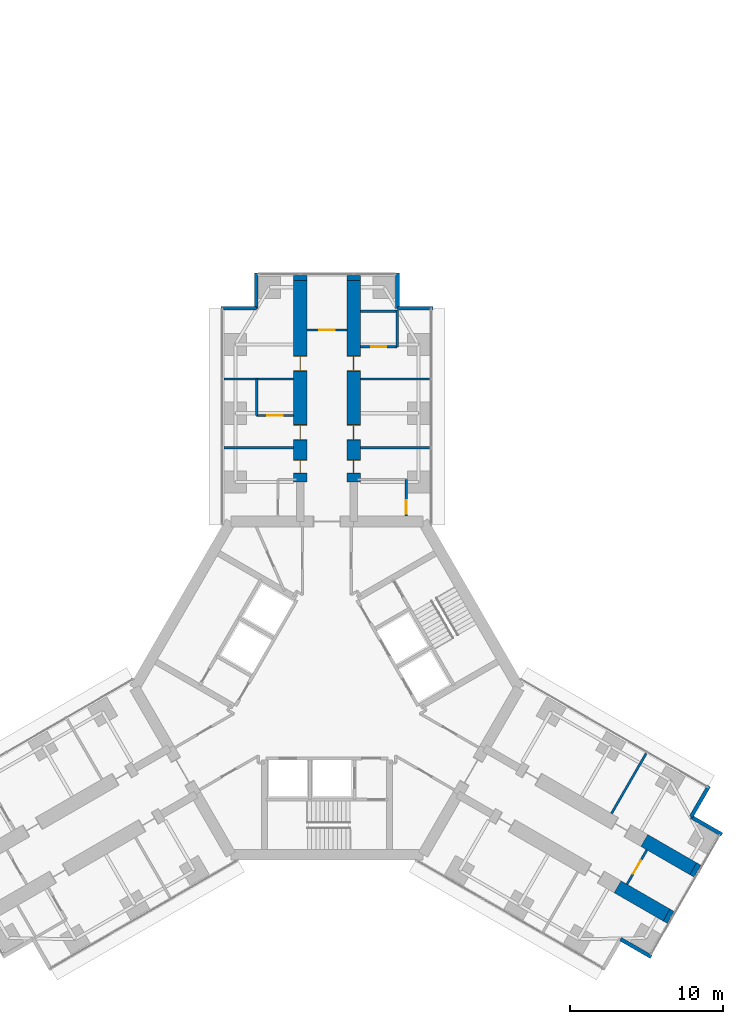
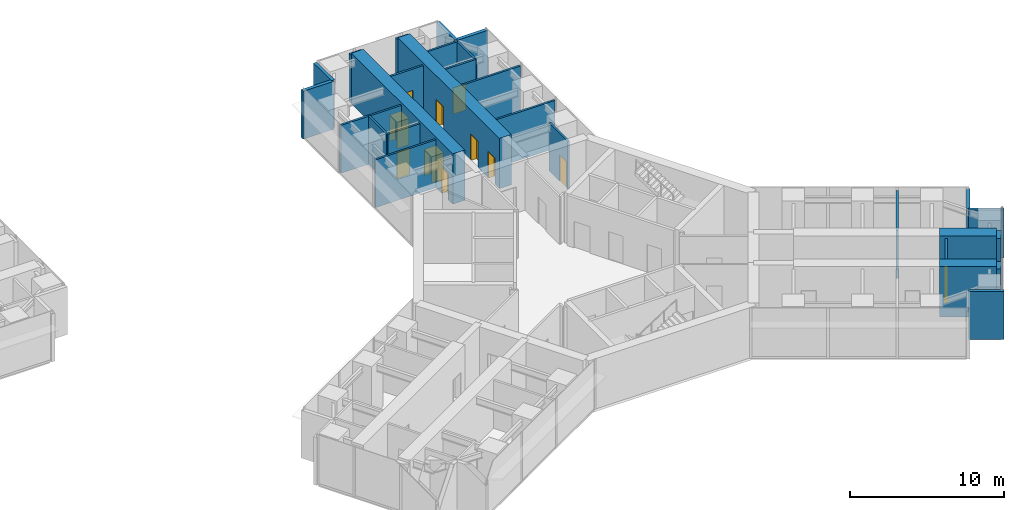
# One storey, part 22 of 24: 28 walls, 11 doors, 11 openings.
"""IFC4 building model written with IfcOpenShell, lengths in metres."""

from ifc_helpers import new_model, si_unit, direction, frame, frame_2d, origin, place, context, subcontext, project, spatial, rectangle, extrude, material, layer, layer_set, type_object, element, fill, save


model = new_model("IFC4")

# Units and contexts
model_context = context("Model", 3, precision=1e-05, world=origin(), true_north=direction((0.0, 1.0)))
body_context = subcontext(model_context, "Body", "Model", "MODEL_VIEW")
ifc_project = project(units=[si_unit("LENGTHUNIT", "METRE"), si_unit("AREAUNIT", "SQUARE_METRE"), si_unit("VOLUMEUNIT", "CUBIC_METRE"), si_unit("PLANEANGLEUNIT", "RADIAN"), si_unit("MASSUNIT", "GRAM", prefix="KILO")], contexts=[model_context])

# Site, building, storey
site_placement = place(None, origin())
site = spatial("IfcSite", under=ifc_project, at=site_placement, CompositionType="ELEMENT")
building_placement = place(site_placement, origin())
building = spatial("IfcBuilding", under=site, at=building_placement, Name="Upepo Twin Towers", CompositionType="ELEMENT")
storey_placement = place(building_placement, frame((0.0, 0.0, 48.5)))
storey = spatial("IfcBuildingStorey", under=building, at=storey_placement, Name="L11", CompositionType="ELEMENT", Elevation=48.5)

# Walls
ifc_material_1 = material(Name="Dense concrete blockwork", Category="masonry")
ifc_layer_1 = layer(ifc_material_1, 0.89990234375)
ifc_layer_set_1 = layer_set([ifc_layer_1], Name="Buttress closer 900, blockwork with fire-stopping to the curtain wall")
wall_type_1 = type_object("IfcWallType", Name="Buttress closer 900, blockwork with fire-stopping to the curtain wall", PredefinedType="PARTITIONING", material=ifc_layer_set_1)
for number, where, z_axis, x_axis, name in (
    (1, (56.75, 8.699951171875, 0.0), (0.0, 0.0, 1.0), (0.0, 1.0, 0.0), "T2 L11 wing A buttress closer L"),
    (2, (60.25, 8.699951171875, 0.0), (0.0, 0.0, 1.0), (0.0, 1.0, 0.0), "T2 L11 wing A buttress closer R"),
    (3, (82.497802734375, -29.83447265625, 0.0), (0.0, 0.0, 1.0), (0.866054481515, -0.499949632511, 0.0), "T2 L11 wing C buttress closer L"),
    (4, (80.747802734375, -32.865478515625, 0.0), (0.0, 0.0, 1.0), (0.866054481515, -0.499949632511, 0.0), "T2 L11 wing C buttress closer R"),
):
    element("IfcWall", number, at=place(storey_placement, frame(where, z_axis=z_axis, x_axis=x_axis)), inside=storey, type_object=wall_type_1, Name=name, PredefinedType="PARTITIONING", context=body_context, shape_type="SweptSolid", body=[
        extrude(rectangle(XDim=0.31005859375, YDim=0.89990234375, at=frame_2d((0.155029296875, 0.0))), origin(), (0.0, 0.0, 1.0), 3.800048828125),
    ])

# Wall, openings, doors
ifc_material_2 = material(Name="Concrete C60/75", Category="concrete")
ifc_layer_2 = layer(ifc_material_2, 0.89990234375)
ifc_layer_set_2 = layer_set([ifc_layer_2], Name="Concrete C60/75")
wall_type_2 = type_object("IfcWallType", Name="Buttress wall 900 RC", PredefinedType="SHEAR", material=ifc_layer_set_2)
wall_1_placement = place(storey_placement, frame((56.75, -4.5, 0.0), z_axis=(0.0, 0.0, 1.0), x_axis=(0.0, 1.0, 0.0)))
wall_1 = element("IfcWall", 5, at=wall_1_placement, inside=storey, type_object=wall_type_2, Name="T2 wing A buttress wall L part 2", PredefinedType="SHEAR", context=body_context, shape_type="SweptSolid", body=[
    extrude(rectangle(XDim=13.199951171875, YDim=0.89990234375, at=frame_2d((6.60009765625, 0.0))), origin(), (0.0, 0.0, 1.0), 4.0),
])
opening_1_placement = place(wall_1_placement, frame((0.550048828125, 0.0, 0.0)))
opening_1 = element("IfcOpeningElement", 6, at=opening_1_placement, cuts=wall_1, Name="Opening D11", PredefinedType="OPENING", context=body_context, shape_type="SweptSolid", body=[
    extrude(rectangle(XDim=0.89990234375, YDim=2.10009765625, at=frame_2d((0.449951171875, 1.050048828125))), frame((0.0, 0.4599609375, 0.0), z_axis=(0.0, -1.0, 0.0), x_axis=(1.0, 0.0, 0.0)), (0.0, 0.0, 1.0), 0.919921875),
])
opening_2_placement = place(wall_1_placement, frame((2.75, 0.0, 0.0)))
opening_2 = element("IfcOpeningElement", 7, at=opening_2_placement, cuts=wall_1, Name="Opening D1", PredefinedType="OPENING", context=body_context, shape_type="SweptSolid", body=[
    extrude(rectangle(XDim=1.0, YDim=2.10009765625, at=frame_2d((0.5, 1.050048828125))), frame((0.0, 0.4599609375, 0.0), z_axis=(0.0, -1.0, 0.0), x_axis=(1.0, 0.0, 0.0)), (0.0, 0.0, 1.0), 0.919921875),
])
opening_3_placement = place(wall_1_placement, frame((7.25, 0.0, 0.0)))
opening_3 = element("IfcOpeningElement", 8, at=opening_3_placement, cuts=wall_1, Name="Opening D1", PredefinedType="OPENING", context=body_context, shape_type="SweptSolid", body=[
    extrude(rectangle(XDim=1.0, YDim=2.10009765625, at=frame_2d((0.5, 1.050048828125))), frame((0.0, 0.4599609375, 0.0), z_axis=(0.0, -1.0, 0.0), x_axis=(1.0, 0.0, 0.0)), (0.0, 0.0, 1.0), 0.919921875),
])
ifc_material_3 = material(Name="Timber doorset", Category="wood")
door_type_1 = type_object("IfcDoorType", Name="Room door 1000 FD30", OperationType="SINGLE_SWING_LEFT", PredefinedType="DOOR", material=ifc_material_3)
door_1_placement = place(opening_2_placement, origin())
door_1 = element("IfcDoor", 9, at=door_1_placement, inside=storey, type_object=door_type_1, Name="T2 L11 tutorial room door", OperationType="SINGLE_SWING_LEFT", OverallHeight=2.10009765625, OverallWidth=1.0, PredefinedType="DOOR", context=body_context, shape_type="SweptSolid", body=[
    extrude(rectangle(XDim=0.92, YDim=2.06009765625, at=frame_2d((0.5, 1.030029296875))), frame((0.0, 0.02490234375, 0.0), z_axis=(0.0, -1.0, 0.0), x_axis=(1.0, 0.0, 0.0)), (0.0, 0.0, 1.0), 0.050048828125),
    extrude(rectangle(XDim=0.04, YDim=2.10009765625, at=frame_2d((0.02001953125, 1.050048828125))), frame((0.0, 0.44970703125, 0.0), z_axis=(0.0, -1.0, 0.0), x_axis=(1.0, 0.0, 0.0)), (0.0, 0.0, 1.0), 0.8994140625),
    extrude(rectangle(XDim=0.04, YDim=2.10009765625, at=frame_2d((0.97998046875, 1.050048828125))), frame((0.0, 0.44970703125, 0.0), z_axis=(0.0, -1.0, 0.0), x_axis=(1.0, 0.0, 0.0)), (0.0, 0.0, 1.0), 0.8994140625),
    extrude(rectangle(XDim=0.92, YDim=0.04, at=frame_2d((0.5, 2.080078125))), frame((0.0, 0.44970703125, 0.0), z_axis=(0.0, -1.0, 0.0), x_axis=(1.0, 0.0, 0.0)), (0.0, 0.0, 1.0), 0.8994140625),
])
fill(opening_2, door_1)
door_2_placement = place(opening_3_placement, origin())
door_2 = element("IfcDoor", 10, at=door_2_placement, inside=storey, type_object=door_type_1, Name="T2 L11 staff office door", OperationType="SINGLE_SWING_RIGHT", OverallHeight=2.10009765625, OverallWidth=1.0, PredefinedType="DOOR", context=body_context, shape_type="SweptSolid", body=[
    extrude(rectangle(XDim=0.92, YDim=2.06009765625, at=frame_2d((0.5, 1.030029296875))), frame((0.0, 0.02490234375, 0.0), z_axis=(0.0, -1.0, 0.0), x_axis=(1.0, 0.0, 0.0)), (0.0, 0.0, 1.0), 0.050048828125),
    extrude(rectangle(XDim=0.04, YDim=2.10009765625, at=frame_2d((0.02001953125, 1.050048828125))), frame((0.0, 0.44970703125, 0.0), z_axis=(0.0, -1.0, 0.0), x_axis=(1.0, 0.0, 0.0)), (0.0, 0.0, 1.0), 0.8994140625),
    extrude(rectangle(XDim=0.04, YDim=2.10009765625, at=frame_2d((0.97998046875, 1.050048828125))), frame((0.0, 0.44970703125, 0.0), z_axis=(0.0, -1.0, 0.0), x_axis=(1.0, 0.0, 0.0)), (0.0, 0.0, 1.0), 0.8994140625),
    extrude(rectangle(XDim=0.92, YDim=0.04, at=frame_2d((0.5, 2.080078125))), frame((0.0, 0.44970703125, 0.0), z_axis=(0.0, -1.0, 0.0), x_axis=(1.0, 0.0, 0.0)), (0.0, 0.0, 1.0), 0.8994140625),
])
fill(opening_3, door_2)
ifc_material_4 = material(Name="Timber doorset", Category="wood")
door_type_2 = type_object("IfcDoorType", Name="Toilet door 900", OperationType="SINGLE_SWING_LEFT", PredefinedType="DOOR", material=ifc_material_4)
door_3_placement = place(opening_1_placement, origin())
door_3 = element("IfcDoor", 11, at=door_3_placement, inside=storey, type_object=door_type_2, Name="T2 L11 toilets door", OperationType="SINGLE_SWING_LEFT", OverallHeight=2.10009765625, OverallWidth=0.89990234375, PredefinedType="DOOR", context=body_context, shape_type="SweptSolid", body=[
    extrude(rectangle(XDim=0.81990234375, YDim=2.06009765625, at=frame_2d((0.449951171875, 1.030029296875))), frame((0.0, 0.02490234375, 0.0), z_axis=(0.0, -1.0, 0.0), x_axis=(1.0, 0.0, 0.0)), (0.0, 0.0, 1.0), 0.050048828125),
    extrude(rectangle(XDim=0.04, YDim=2.10009765625, at=frame_2d((0.02001953125, 1.050048828125))), frame((0.0, 0.44970703125, 0.0), z_axis=(0.0, -1.0, 0.0), x_axis=(1.0, 0.0, 0.0)), (0.0, 0.0, 1.0), 0.8994140625),
    extrude(rectangle(XDim=0.04, YDim=2.10009765625, at=frame_2d((0.8798828125, 1.050048828125))), frame((0.0, 0.44970703125, 0.0), z_axis=(0.0, -1.0, 0.0), x_axis=(1.0, 0.0, 0.0)), (0.0, 0.0, 1.0), 0.8994140625),
    extrude(rectangle(XDim=0.81990234375, YDim=0.04, at=frame_2d((0.449951171875, 2.080078125))), frame((0.0, 0.44970703125, 0.0), z_axis=(0.0, -1.0, 0.0), x_axis=(1.0, 0.0, 0.0)), (0.0, 0.0, 1.0), 0.8994140625),
])
fill(opening_1, door_3)

wall_2_placement = place(storey_placement, frame((60.25, -4.5, 0.0), z_axis=(0.0, 0.0, 1.0), x_axis=(0.0, 1.0, 0.0)))
wall_2 = element("IfcWall", 12, at=wall_2_placement, inside=storey, type_object=wall_type_2, Name="T2 wing A buttress wall R part 2", PredefinedType="SHEAR", context=body_context, shape_type="SweptSolid", body=[
    extrude(rectangle(XDim=13.199951171875, YDim=0.89990234375, at=frame_2d((6.60009765625, 0.0))), origin(), (0.0, 0.0, 1.0), 4.0),
])
opening_4_placement = place(wall_2_placement, frame((0.550048828125, 0.0, 0.0)))
opening_4 = element("IfcOpeningElement", 13, at=opening_4_placement, cuts=wall_2, Name="Opening D11", PredefinedType="OPENING", context=body_context, shape_type="SweptSolid", body=[
    extrude(rectangle(XDim=0.89990234375, YDim=2.10009765625, at=frame_2d((0.449951171875, 1.050048828125))), frame((0.0, 0.4599609375, 0.0), z_axis=(0.0, -1.0, 0.0), x_axis=(1.0, 0.0, 0.0)), (0.0, 0.0, 1.0), 0.919921875),
])
opening_5_placement = place(wall_2_placement, frame((2.75, 0.0, 0.0)))
opening_5 = element("IfcOpeningElement", 14, at=opening_5_placement, cuts=wall_2, Name="Opening D1", PredefinedType="OPENING", context=body_context, shape_type="SweptSolid", body=[
    extrude(rectangle(XDim=1.0, YDim=2.10009765625, at=frame_2d((0.5, 1.050048828125))), frame((0.0, 0.4599609375, 0.0), z_axis=(0.0, -1.0, 0.0), x_axis=(1.0, 0.0, 0.0)), (0.0, 0.0, 1.0), 0.919921875),
])
opening_6_placement = place(wall_2_placement, frame((7.25, 0.0, 0.0)))
opening_6 = element("IfcOpeningElement", 15, at=opening_6_placement, cuts=wall_2, Name="Opening D1", PredefinedType="OPENING", context=body_context, shape_type="SweptSolid", body=[
    extrude(rectangle(XDim=1.0, YDim=2.10009765625, at=frame_2d((0.5, 1.050048828125))), frame((0.0, 0.4599609375, 0.0), z_axis=(0.0, -1.0, 0.0), x_axis=(1.0, 0.0, 0.0)), (0.0, 0.0, 1.0), 0.919921875),
])
door_4_placement = place(opening_5_placement, origin())
door_4 = element("IfcDoor", 16, at=door_4_placement, inside=storey, type_object=door_type_1, Name="T2 L11 seminar room door", OperationType="SINGLE_SWING_LEFT", OverallHeight=2.10009765625, OverallWidth=1.0, PredefinedType="DOOR", context=body_context, shape_type="SweptSolid", body=[
    extrude(rectangle(XDim=0.92, YDim=2.06009765625, at=frame_2d((0.5, 1.030029296875))), frame((0.0, 0.02490234375, 0.0), z_axis=(0.0, -1.0, 0.0), x_axis=(1.0, 0.0, 0.0)), (0.0, 0.0, 1.0), 0.050048828125),
    extrude(rectangle(XDim=0.04, YDim=2.10009765625, at=frame_2d((0.02001953125, 1.050048828125))), frame((0.0, 0.44970703125, 0.0), z_axis=(0.0, -1.0, 0.0), x_axis=(1.0, 0.0, 0.0)), (0.0, 0.0, 1.0), 0.8994140625),
    extrude(rectangle(XDim=0.04, YDim=2.10009765625, at=frame_2d((0.97998046875, 1.050048828125))), frame((0.0, 0.44970703125, 0.0), z_axis=(0.0, -1.0, 0.0), x_axis=(1.0, 0.0, 0.0)), (0.0, 0.0, 1.0), 0.8994140625),
    extrude(rectangle(XDim=0.92, YDim=0.04, at=frame_2d((0.5, 2.080078125))), frame((0.0, 0.44970703125, 0.0), z_axis=(0.0, -1.0, 0.0), x_axis=(1.0, 0.0, 0.0)), (0.0, 0.0, 1.0), 0.8994140625),
])
fill(opening_5, door_4)
door_5_placement = place(opening_6_placement, origin())
door_5 = element("IfcDoor", 17, at=door_5_placement, inside=storey, type_object=door_type_1, Name="T2 L11 tutorial room door", OperationType="SINGLE_SWING_RIGHT", OverallHeight=2.10009765625, OverallWidth=1.0, PredefinedType="DOOR", context=body_context, shape_type="SweptSolid", body=[
    extrude(rectangle(XDim=0.92, YDim=2.06009765625, at=frame_2d((0.5, 1.030029296875))), frame((0.0, 0.02490234375, 0.0), z_axis=(0.0, -1.0, 0.0), x_axis=(1.0, 0.0, 0.0)), (0.0, 0.0, 1.0), 0.050048828125),
    extrude(rectangle(XDim=0.04, YDim=2.10009765625, at=frame_2d((0.02001953125, 1.050048828125))), frame((0.0, 0.44970703125, 0.0), z_axis=(0.0, -1.0, 0.0), x_axis=(1.0, 0.0, 0.0)), (0.0, 0.0, 1.0), 0.8994140625),
    extrude(rectangle(XDim=0.04, YDim=2.10009765625, at=frame_2d((0.97998046875, 1.050048828125))), frame((0.0, 0.44970703125, 0.0), z_axis=(0.0, -1.0, 0.0), x_axis=(1.0, 0.0, 0.0)), (0.0, 0.0, 1.0), 0.8994140625),
    extrude(rectangle(XDim=0.92, YDim=0.04, at=frame_2d((0.5, 2.080078125))), frame((0.0, 0.44970703125, 0.0), z_axis=(0.0, -1.0, 0.0), x_axis=(1.0, 0.0, 0.0)), (0.0, 0.0, 1.0), 0.8994140625),
])
fill(opening_6, door_5)
door_6_placement = place(opening_4_placement, origin())
door_6 = element("IfcDoor", 18, at=door_6_placement, inside=storey, type_object=door_type_2, Name="T2 L11 accessible wc door", OperationType="SINGLE_SWING_LEFT", OverallHeight=2.10009765625, OverallWidth=0.89990234375, PredefinedType="DOOR", context=body_context, shape_type="SweptSolid", body=[
    extrude(rectangle(XDim=0.81990234375, YDim=2.06009765625, at=frame_2d((0.449951171875, 1.030029296875))), frame((0.0, 0.02490234375, 0.0), z_axis=(0.0, -1.0, 0.0), x_axis=(1.0, 0.0, 0.0)), (0.0, 0.0, 1.0), 0.050048828125),
    extrude(rectangle(XDim=0.04, YDim=2.10009765625, at=frame_2d((0.02001953125, 1.050048828125))), frame((0.0, 0.44970703125, 0.0), z_axis=(0.0, -1.0, 0.0), x_axis=(1.0, 0.0, 0.0)), (0.0, 0.0, 1.0), 0.8994140625),
    extrude(rectangle(XDim=0.04, YDim=2.10009765625, at=frame_2d((0.8798828125, 1.050048828125))), frame((0.0, 0.44970703125, 0.0), z_axis=(0.0, -1.0, 0.0), x_axis=(1.0, 0.0, 0.0)), (0.0, 0.0, 1.0), 0.8994140625),
    extrude(rectangle(XDim=0.81990234375, YDim=0.04, at=frame_2d((0.449951171875, 2.080078125))), frame((0.0, 0.44970703125, 0.0), z_axis=(0.0, -1.0, 0.0), x_axis=(1.0, 0.0, 0.0)), (0.0, 0.0, 1.0), 0.8994140625),
])
fill(opening_4, door_6)

# Walls
wall_3_placement = place(storey_placement, frame((79.293701171875, -27.984375, 0.0), z_axis=(0.0, 0.0, 1.0), x_axis=(0.866000971088, -0.500042316284, 0.0)))
element("IfcWall", 19, at=wall_3_placement, inside=storey, type_object=wall_type_2, Name="T2 wing C buttress wall L part 3", PredefinedType="SHEAR", context=body_context, shape_type="SweptSolid", body=[
    extrude(rectangle(XDim=3.699951171875, YDim=0.89990234375, at=frame_2d((1.85009765625, 0.0))), origin(), (0.0, 0.0, 1.0), 4.0),
])
wall_4_placement = place(storey_placement, frame((77.543701171875, -31.015625, 0.0), z_axis=(0.0, 0.0, 1.0), x_axis=(0.866029545028, -0.499992827086, 0.0)))
element("IfcWall", 20, at=wall_4_placement, inside=storey, type_object=wall_type_2, Name="T2 wing C buttress wall R part 3", PredefinedType="SHEAR", context=body_context, shape_type="SweptSolid", body=[
    extrude(rectangle(XDim=3.69970703125, YDim=0.89990234375, at=frame_2d((1.849853515625, 0.0))), origin(), (0.0, 0.0, 1.0), 4.0),
])
ifc_material_5 = material(Name="Blockwork with anodised aluminium cladding", Category="masonry")
ifc_layer_3 = layer(ifc_material_5, 0.25)
ifc_layer_set_3 = layer_set([ifc_layer_3], Name="Notch cladding wall 250, pale metal")
wall_type_3 = type_object("IfcWallType", Name="Notch cladding wall 250, pale metal", PredefinedType="STANDARD", material=ifc_layer_set_3)
for number, where, z_axis, x_axis, name in (
    (21, (51.550048828125, 6.875, 0.0), (0.0, 0.0, 1.0), (1.0, 0.0, 0.0), "T2 L11 wing A notch wall L1"),
    (22, (53.875, 6.875, 0.0), (0.0, 0.0, 1.0), (0.0, 1.0, 0.0), "T2 L11 wing A notch wall L2"),
    (23, (65.449951171875, 6.875, 0.0), (0.0, 0.0, 1.0), (-1.0, 0.0, 0.0), "T2 L11 wing A notch wall R1"),
    (24, (63.125, 6.875, 0.0), (0.0, 0.0, 1.0), (0.0, 1.0, 0.0), "T2 L11 wing A notch wall R2"),
    (25, (83.517333984375, -24.418701171875, 0.0), (0.0, 0.0, 1.0), (-0.499967891604, -0.866043940782, 0.0), "T2 L11 wing C notch wall L1"),
    (26, (82.35498046875, -26.43212890625, 0.0), (0.0, 0.0, 1.0), (0.865998469481, -0.500046648681, 0.0), "T2 L11 wing C notch wall L2"),
    (27, (77.72998046875, -34.44287109375, 0.0), (0.0, 0.0, 1.0), (0.865998469481, -0.500046648681, 0.0), "T2 L11 wing C notch wall R2"),
):
    element("IfcWall", number, at=place(storey_placement, frame(where, z_axis=z_axis, x_axis=x_axis)), inside=storey, type_object=wall_type_3, Name=name, PredefinedType="STANDARD", context=body_context, shape_type="SweptSolid", body=[
        extrude(rectangle(XDim=2.324951171875, YDim=0.25, at=frame_2d((1.16259765625, 0.0))), origin(), (0.0, 0.0, 1.0), 3.800048828125),
    ])
ifc_material_6 = material(Name="Gypsum board on steel studs", Category="steel")
ifc_layer_4 = layer(ifc_material_6, 0.14990234375)
ifc_layer_set_4 = layer_set([ifc_layer_4], Name="Teaching partition 150 acoustic")
wall_type_4 = type_object("IfcWallType", Name="Teaching partition 150 acoustic", PredefinedType="PARTITIONING", material=ifc_layer_set_4)
for number, where, z_axis, x_axis, name in (
    (28, (56.300048828125, -2.25, 0.0), (0.0, 0.0, 1.0), (-1.0, 0.0, 0.0), "T2 partition AL at 15.75"),
    (29, (56.300048828125, 2.25, 0.0), (0.0, 0.0, 1.0), (-1.0, 0.0, 0.0), "T2 partition AL at 20.25"),
):
    element("IfcWall", number, at=place(storey_placement, frame(where, z_axis=z_axis, x_axis=x_axis)), inside=storey, type_object=wall_type_4, Name=name, PredefinedType="PARTITIONING", context=body_context, shape_type="SweptSolid", body=[
        extrude(rectangle(XDim=4.550048828125, YDim=0.14990234375, at=frame_2d((2.27490234375, 0.0))), origin(), (0.0, 0.0, 1.0), 3.800048828125),
    ])
wall_5_placement = place(storey_placement, frame((53.89990234375, -0.14990234375, 0.0), z_axis=(0.0, 0.0, 1.0), x_axis=(0.0, 1.0, 0.0)))
element("IfcWall", 30, at=wall_5_placement, inside=storey, type_object=wall_type_4, Name="T2 inner room partition AL at 17.85", PredefinedType="PARTITIONING", context=body_context, shape_type="SweptSolid", body=[
    extrude(rectangle(XDim=2.39990234375, YDim=0.14990234375, at=frame_2d((1.199951171875, 0.0))), origin(), (0.0, 0.0, 1.0), 3.800048828125),
])

# Wall, opening, door
wall_6_placement = place(storey_placement, frame((56.300048828125, -0.14990234375, 0.0), z_axis=(0.0, 0.0, 1.0), x_axis=(-1.0, 0.0, 0.0)))
wall_6 = element("IfcWall", 31, at=wall_6_placement, inside=storey, type_object=wall_type_4, Name="T2 inner room partition AL end at 17.85", PredefinedType="PARTITIONING", context=body_context, shape_type="SweptSolid", body=[
    extrude(rectangle(XDim=2.400146484375, YDim=0.14990234375, at=frame_2d((1.2001953125, 0.0))), origin(), (0.0, 0.0, 1.0), 3.800048828125),
])
opening_7_placement = place(wall_6_placement, frame((0.699951171875, 0.0, 0.0)))
opening_7 = element("IfcOpeningElement", 32, at=opening_7_placement, cuts=wall_6, Name="Opening D1", PredefinedType="OPENING", context=body_context, shape_type="SweptSolid", body=[
    extrude(rectangle(XDim=1.0, YDim=2.10009765625, at=frame_2d((0.5, 1.050048828125))), frame((0.0, 0.0849609375, 0.0), z_axis=(0.0, -1.0, 0.0), x_axis=(1.0, 0.0, 0.0)), (0.0, 0.0, 1.0), 0.169921875),
])
door_7_placement = place(opening_7_placement, origin())
door_7 = element("IfcDoor", 33, at=door_7_placement, inside=storey, type_object=door_type_1, Name="T2 L11 inner room door", OperationType="SINGLE_SWING_LEFT", OverallHeight=2.10009765625, OverallWidth=1.0, PredefinedType="DOOR", context=body_context, shape_type="SweptSolid", body=[
    extrude(rectangle(XDim=1.0, YDim=2.10009765625, at=frame_2d((0.5, 1.050048828125))), frame((0.0, 0.02490234375, 0.0), z_axis=(0.0, -1.0, 0.0), x_axis=(1.0, 0.0, 0.0)), (0.0, 0.0, 1.0), 0.050048828125),
])
fill(opening_7, door_7)

# Walls
for number, where, z_axis, x_axis, name in (
    (34, (60.699951171875, -2.25, 0.0), (0.0, 0.0, 1.0), (1.0, 0.0, 0.0), "T2 partition AR at 15.75"),
    (35, (60.699951171875, 2.25, 0.0), (0.0, 0.0, 1.0), (1.0, 0.0, 0.0), "T2 partition AR at 20.25"),
):
    element("IfcWall", number, at=place(storey_placement, frame(where, z_axis=z_axis, x_axis=x_axis)), inside=storey, type_object=wall_type_4, Name=name, PredefinedType="PARTITIONING", context=body_context, shape_type="SweptSolid", body=[
        extrude(rectangle(XDim=4.550048828125, YDim=0.14990234375, at=frame_2d((2.27490234375, 0.0))), origin(), (0.0, 0.0, 1.0), 3.800048828125),
    ])
wall_7_placement = place(storey_placement, frame((63.10009765625, 4.35009765625, 0.0), z_axis=(0.0, 0.0, 1.0), x_axis=(0.0, 1.0, 0.0)))
element("IfcWall", 36, at=wall_7_placement, inside=storey, type_object=wall_type_4, Name="T2 inner room partition AR at 22.35", PredefinedType="PARTITIONING", context=body_context, shape_type="SweptSolid", body=[
    extrude(rectangle(XDim=2.39990234375, YDim=0.14990234375, at=frame_2d((1.199951171875, 0.0))), origin(), (0.0, 0.0, 1.0), 3.800048828125),
])

# Wall, opening, door
wall_8_placement = place(storey_placement, frame((60.699951171875, 4.35009765625, 0.0), z_axis=(0.0, 0.0, 1.0), x_axis=(1.0, 0.0, 0.0)))
wall_8 = element("IfcWall", 37, at=wall_8_placement, inside=storey, type_object=wall_type_4, Name="T2 inner room partition AR end at 22.35", PredefinedType="PARTITIONING", context=body_context, shape_type="SweptSolid", body=[
    extrude(rectangle(XDim=2.400146484375, YDim=0.14990234375, at=frame_2d((1.2001953125, 0.0))), origin(), (0.0, 0.0, 1.0), 3.800048828125),
])
opening_8_placement = place(wall_8_placement, frame((0.699951171875, 0.0, 0.0)))
opening_8 = element("IfcOpeningElement", 38, at=opening_8_placement, cuts=wall_8, Name="Opening D1", PredefinedType="OPENING", context=body_context, shape_type="SweptSolid", body=[
    extrude(rectangle(XDim=1.0, YDim=2.10009765625, at=frame_2d((0.5, 1.050048828125))), frame((0.0, 0.0849609375, 0.0), z_axis=(0.0, -1.0, 0.0), x_axis=(1.0, 0.0, 0.0)), (0.0, 0.0, 1.0), 0.169921875),
])
door_8_placement = place(opening_8_placement, origin())
door_8 = element("IfcDoor", 39, at=door_8_placement, inside=storey, type_object=door_type_1, Name="T2 L11 inner room door", OperationType="SINGLE_SWING_LEFT", OverallHeight=2.10009765625, OverallWidth=1.0, PredefinedType="DOOR", context=body_context, shape_type="SweptSolid", body=[
    extrude(rectangle(XDim=1.0, YDim=2.10009765625, at=frame_2d((0.5, 1.050048828125))), frame((0.0, 0.02490234375, 0.0), z_axis=(0.0, -1.0, 0.0), x_axis=(1.0, 0.0, 0.0)), (0.0, 0.0, 1.0), 0.050048828125),
])
fill(opening_8, door_8)

# Wall
wall_9_placement = place(storey_placement, frame((60.699951171875, 6.675048828125, 0.0), z_axis=(0.0, 0.0, 1.0), x_axis=(1.0, 0.0, 0.0)))
element("IfcWall", 40, at=wall_9_placement, inside=storey, type_object=wall_type_4, Name="T2 inner room partition AR end at 24.75", PredefinedType="PARTITIONING", context=body_context, shape_type="SweptSolid", body=[
    extrude(rectangle(XDim=2.400146484375, YDim=0.14990234375, at=frame_2d((1.2001953125, 0.0))), origin(), (0.0, 0.0, 1.0), 3.800048828125),
])

# Wall, opening, door
wall_10_placement = place(storey_placement, frame((63.699951171875, -6.741943359375, 0.0), z_axis=(0.0, 0.0, 1.0), x_axis=(0.0, 1.0, 0.0)))
wall_10 = element("IfcWall", 41, at=wall_10_placement, inside=storey, type_object=wall_type_4, Name="T2 WC bay partition AR at 11.26", PredefinedType="PARTITIONING", context=body_context, shape_type="SweptSolid", body=[
    extrude(rectangle(XDim=2.39990234375, YDim=0.14990234375, at=frame_2d((1.199951171875, 0.0))), origin(), (0.0, 0.0, 1.0), 3.800048828125),
])
opening_9_placement = place(wall_10_placement, frame((0.14990234375, 0.0, 0.0)))
opening_9 = element("IfcOpeningElement", 42, at=opening_9_placement, cuts=wall_10, Name="Opening D14", PredefinedType="OPENING", context=body_context, shape_type="SweptSolid", body=[
    extrude(rectangle(XDim=0.89990234375, YDim=2.10009765625, at=frame_2d((0.449951171875, 1.050048828125))), frame((0.0, 0.0849609375, 0.0), z_axis=(0.0, -1.0, 0.0), x_axis=(1.0, 0.0, 0.0)), (0.0, 0.0, 1.0), 0.169921875),
])
ifc_material_7 = material(Name="Timber doorset", Category="wood")
door_type_3 = type_object("IfcDoorType", Name="Office door 900 FD30", OperationType="SINGLE_SWING_LEFT", PredefinedType="DOOR", material=ifc_material_7)
door_9_placement = place(opening_9_placement, origin())
door_9 = element("IfcDoor", 43, at=door_9_placement, inside=storey, type_object=door_type_3, Name="T2 L11 WC bay inner room door", OperationType="SINGLE_SWING_LEFT", OverallHeight=2.10009765625, OverallWidth=0.89990234375, PredefinedType="DOOR", context=body_context, shape_type="SweptSolid", body=[
    extrude(rectangle(XDim=0.89990234375, YDim=2.10009765625, at=frame_2d((0.449951171875, 1.050048828125))), frame((0.0, 0.02490234375, 0.0), z_axis=(0.0, -1.0, 0.0), x_axis=(1.0, 0.0, 0.0)), (0.0, 0.0, 1.0), 0.050048828125),
])
fill(opening_9, door_9)

# Wall
wall_11_placement = place(storey_placement, frame((77.136962890625, -26.2197265625, 0.0), z_axis=(0.0, 0.0, 1.0), x_axis=(0.500022803284, 0.866012237902, 0.0)))
element("IfcWall", 44, at=wall_11_placement, inside=storey, type_object=wall_type_4, Name="T2 partition CL at 20.25", PredefinedType="PARTITIONING", context=body_context, shape_type="SweptSolid", body=[
    extrude(rectangle(XDim=4.550048828125, YDim=0.14990234375, at=frame_2d((2.27490234375, 0.0))), origin(), (0.0, 0.0, 1.0), 3.800048828125),
])

# Wall, opening, door
wall_12_placement = place(storey_placement, frame((59.800048828125, 5.449951171875, 0.0), z_axis=(0.0, 0.0, 1.0), x_axis=(-1.0, 0.0, 0.0)))
wall_12 = element("IfcWall", 45, at=wall_12_placement, inside=storey, type_object=wall_type_4, Name="T2 corridor end partition A at 23.45", PredefinedType="PARTITIONING", context=body_context, shape_type="SweptSolid", body=[
    extrude(rectangle(XDim=2.60009765625, YDim=0.14990234375, at=frame_2d((1.300048828125, 0.0))), origin(), (0.0, 0.0, 1.0), 3.800048828125),
])
opening_10_placement = place(wall_12_placement, frame((0.800048828125, 0.0, 0.0)))
opening_10 = element("IfcOpeningElement", 46, at=opening_10_placement, cuts=wall_12, Name="Opening D1", PredefinedType="OPENING", context=body_context, shape_type="SweptSolid", body=[
    extrude(rectangle(XDim=1.0, YDim=2.10009765625, at=frame_2d((0.5, 1.050048828125))), frame((0.0, 0.0849609375, 0.0), z_axis=(0.0, -1.0, 0.0), x_axis=(1.0, 0.0, 0.0)), (0.0, 0.0, 1.0), 0.169921875),
])
door_10_placement = place(opening_10_placement, origin())
door_10 = element("IfcDoor", 47, at=door_10_placement, inside=storey, type_object=door_type_1, Name="T2 L11 breakout study room door", OperationType="SINGLE_SWING_LEFT", OverallHeight=2.10009765625, OverallWidth=1.0, PredefinedType="DOOR", context=body_context, shape_type="SweptSolid", body=[
    extrude(rectangle(XDim=1.0, YDim=2.10009765625, at=frame_2d((0.5, 1.050048828125))), frame((0.0, 0.02490234375, 0.0), z_axis=(0.0, -1.0, 0.0), x_axis=(1.0, 0.0, 0.0)), (0.0, 0.0, 1.0), 0.050048828125),
])
fill(opening_10, door_10)

wall_13_placement = place(storey_placement, frame((78.158203125, -30.850830078125, 0.0), z_axis=(0.0, 0.0, 1.0), x_axis=(0.500006934395, 0.866021400173, 0.0)))
wall_13 = element("IfcWall", 48, at=wall_13_placement, inside=storey, type_object=wall_type_4, Name="T2 corridor end partition C at 23.45", PredefinedType="PARTITIONING", context=body_context, shape_type="SweptSolid", body=[
    extrude(rectangle(XDim=2.60009765625, YDim=0.14990234375, at=frame_2d((1.300048828125, 0.0))), origin(), (0.0, 0.0, 1.0), 3.800048828125),
])
opening_11_placement = place(wall_13_placement, frame((0.800048828125, 0.0, 0.0)))
opening_11 = element("IfcOpeningElement", 49, at=opening_11_placement, cuts=wall_13, Name="Opening D1", PredefinedType="OPENING", context=body_context, shape_type="SweptSolid", body=[
    extrude(rectangle(XDim=1.0, YDim=2.10009765625, at=frame_2d((0.5, 1.050048828125))), frame((0.0, 0.0849609375, 0.0), z_axis=(0.0, -1.0, 0.0), x_axis=(1.0, 0.0, 0.0)), (0.0, 0.0, 1.0), 0.169921875),
])
door_11_placement = place(opening_11_placement, origin())
door_11 = element("IfcDoor", 50, at=door_11_placement, inside=storey, type_object=door_type_1, Name="T2 L11 breakout study room door", OperationType="SINGLE_SWING_LEFT", OverallHeight=2.10009765625, OverallWidth=1.0, PredefinedType="DOOR", context=body_context, shape_type="SweptSolid", body=[
    extrude(rectangle(XDim=1.0, YDim=2.10009765625, at=frame_2d((0.5, 1.050048828125))), frame((0.0, 0.02490234375, 0.0), z_axis=(0.0, -1.0, 0.0), x_axis=(1.0, 0.0, 0.0)), (0.0, 0.0, 1.0), 0.050048828125),
])
fill(opening_11, door_11)

save(model, "model.ifc")
